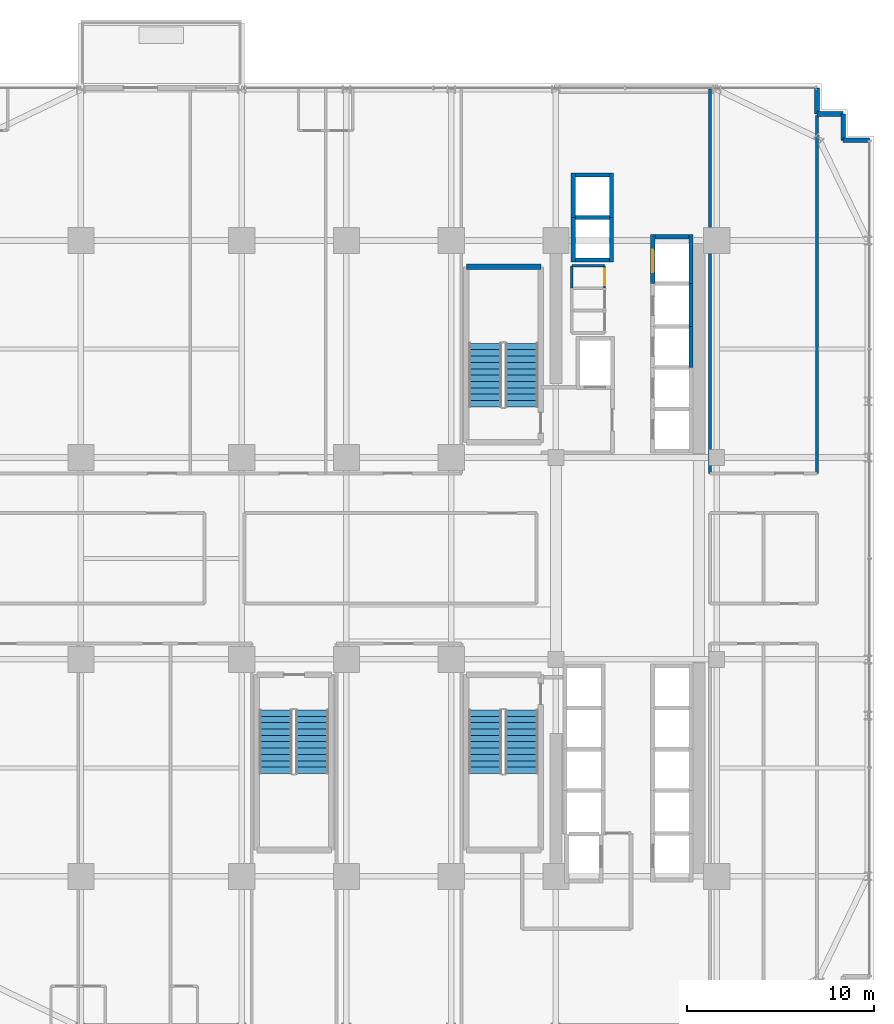
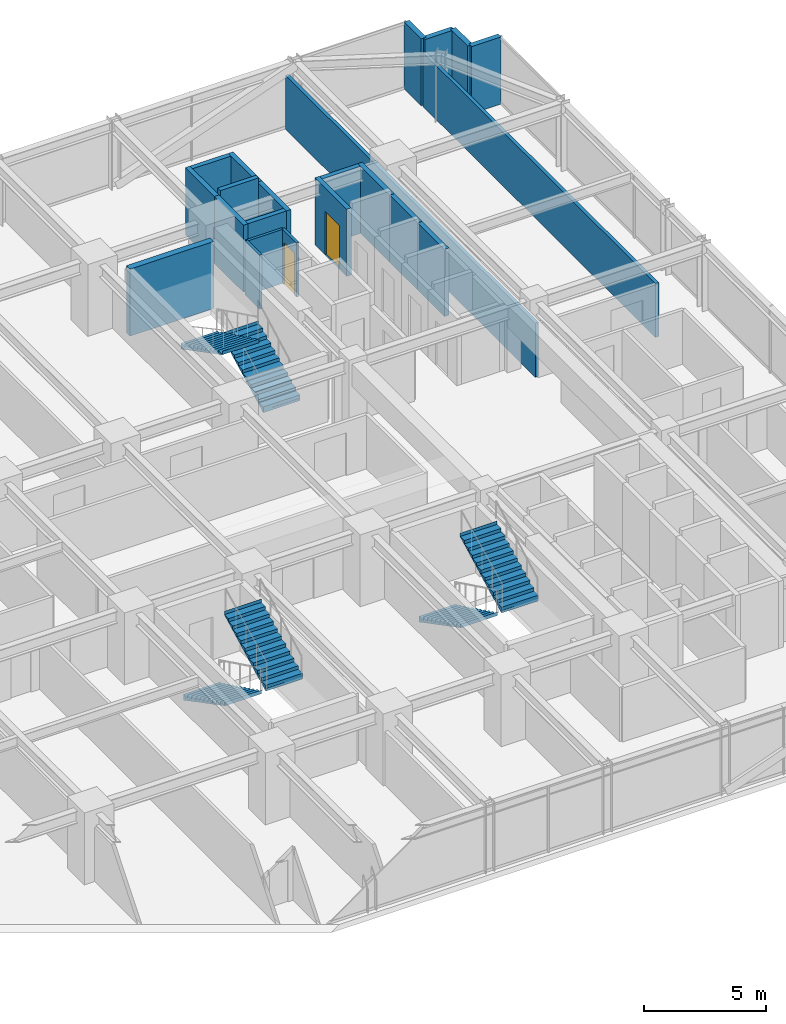
# One storey, part 32 of 36: 22 walls, 6 stair flights, 2 doors, 2 openings, 3 elements without a shape of their own.
"""IFC4 building model written with IfcOpenShell, lengths in metres."""

from ifc_helpers import new_model, si_unit, direction, frame, frame_2d, origin, place, context, subcontext, project, spatial, polyline, rectangle, outline, extrude, source, transform, mapped, material, layer, layer_set, type_object, element, fill, aggregate, save


model = new_model("IFC4")

# Units and contexts
model_context = context("Model", 3, precision=1e-05, world=origin(), true_north=direction((0.0, 1.0)))
body_context = subcontext(model_context, "Body", "Model", "MODEL_VIEW")
ifc_project = project(units=[si_unit("LENGTHUNIT", "METRE"), si_unit("AREAUNIT", "SQUARE_METRE"), si_unit("VOLUMEUNIT", "CUBIC_METRE"), si_unit("PLANEANGLEUNIT", "RADIAN"), si_unit("MASSUNIT", "GRAM", prefix="KILO")], contexts=[model_context])

# Site, building, storey
site_placement = place(None, origin())
site = spatial("IfcSite", under=ifc_project, at=site_placement, CompositionType="ELEMENT")
building_placement = place(site_placement, origin())
building = spatial("IfcBuilding", under=site, at=building_placement, Name="Nahalor Promenade Grand Hotel", CompositionType="ELEMENT")
storey_placement = place(building_placement, frame((0.0, 0.0, 76.199951171875)))
storey = spatial("IfcBuildingStorey", under=building, at=storey_placement, Name="L18", CompositionType="ELEMENT", Elevation=76.199951171875)

# Walls
ifc_material_1 = material(Name="Concrete B-50 (C40/50)", Category="concrete")
ifc_layer_1 = layer(ifc_material_1, 0.300048828125)
ifc_layer_set_1 = layer_set([ifc_layer_1], Name="Concrete B-50 (C40/50)")
wall_type_1 = type_object("IfcWallType", Name="Wall-ShaftShear-300", PredefinedType="SHEAR", material=ifc_layer_set_1)
shared_shape_1 = source(origin(), body_context, "Body", "SweptSolid", [
    extrude(rectangle(XDim=3.97998046875, YDim=0.300048828125, at=frame_2d((1.989990234375, 0.0))), origin(), (0.0, 0.0, 1.0), 3.3701171875),
])
wall_1_placement = place(storey_placement, frame((3.610107421875, 15.590087890625, 0.0), z_axis=(0.0, 0.0, 1.0), x_axis=(1.0, 0.0, 0.0)))
element("IfcWall", 1, at=wall_1_placement, inside=storey, type_object=wall_type_1, Name="L18 Exit Stair ST1 Shaft Wall N", PredefinedType="SHEAR", context=body_context, shape_type="MappedRepresentation", body=[
    mapped(shared_shape_1, transform((0.0, 0.0, 0.0), scale=1.0)),
])
ifc_layer_2 = layer(ifc_material_1, 0.219970703125)
ifc_layer_set_2 = layer_set([ifc_layer_2], Name="Concrete B-50 (C40/50)")
wall_type_2 = type_object("IfcWallType", Name="Wall-LiftShaft-220", PredefinedType="SHEAR", material=ifc_layer_set_2)
shared_shape_2 = source(origin(), body_context, "Body", "SweptSolid", [
    extrude(rectangle(XDim=1.820068359375, YDim=0.219970703125, at=frame_2d((0.91015625, 0.0))), origin(), (0.0, 0.0, 1.0), 3.3701171875),
])
for number, where, z_axis, x_axis, name in (
    (2, (9.43994140625, 15.949951171875, 0.0), (0.0, 0.0, 1.0), (1.0, 0.0, 0.0), "L18 Lift OB1 Hoistway Wall S"),
    (3, (9.43994140625, 20.5, 0.0), (0.0, 0.0, 1.0), (1.0, 0.0, 0.0), "L18 Lift OB2 Hoistway Wall N"),
    (4, (13.68994140625, 17.199951171875, 0.0), (0.0, 0.0, 1.0), (1.0, 0.0, 0.0), "L18 Lift SV1 Hoistway Wall N"),
):
    element("IfcWall", number, at=place(storey_placement, frame(where, z_axis=z_axis, x_axis=x_axis)), inside=storey, type_object=wall_type_2, Name=name, PredefinedType="SHEAR", context=body_context, shape_type="MappedRepresentation", body=[
        mapped(shared_shape_2, transform((0.0, 0.0, 0.0), scale=1.0)),
    ])
shared_shape_3 = source(origin(), body_context, "Body", "SweptSolid", [
    extrude(rectangle(XDim=1.820068359375, YDim=0.219970703125, at=frame_2d((0.91015625, 0.0))), origin(), (0.0, 0.0, 1.0), 3.650146484375),
])
wall_2_placement = place(storey_placement, frame((9.43994140625, 18.22509765625, 0.0), z_axis=(0.0, 0.0, 1.0), x_axis=(1.0, 0.0, 0.0)))
element("IfcWall", 5, at=wall_2_placement, inside=storey, type_object=wall_type_2, Name="L18 Lift OB1 Hoistway Wall N", PredefinedType="SHEAR", context=body_context, shape_type="MappedRepresentation", body=[
    mapped(shared_shape_3, transform((0.0, 0.0, 0.0), scale=1.0)),
])
shared_shape_4 = source(origin(), body_context, "Body", "SweptSolid", [
    extrude(rectangle(XDim=2.199951171875, YDim=0.219970703125, at=frame_2d((1.10009765625, 0.0))), origin(), (0.0, 0.0, 1.0), 3.3701171875),
])
wall_3_placement = place(storey_placement, frame((15.6201171875, 10.199951171875, 0.0), z_axis=(0.0, 0.0, 1.0), x_axis=(0.0, 1.0, 0.0)))
element("IfcWall", 6, at=wall_3_placement, inside=storey, type_object=wall_type_2, Name="L18 Lift PL3 Hoistway Wall E", PredefinedType="SHEAR", context=body_context, shape_type="MappedRepresentation", body=[
    mapped(shared_shape_4, transform((0.0, 0.0, 0.0), scale=1.0)),
])
shared_shape_5 = source(origin(), body_context, "Body", "SweptSolid", [
    extrude(rectangle(XDim=2.300048828125, YDim=0.219970703125, at=frame_2d((1.14990234375, 0.0))), origin(), (0.0, 0.0, 1.0), 3.3701171875),
])
wall_4_placement = place(storey_placement, frame((15.6201171875, 12.39990234375, 0.0), z_axis=(0.0, 0.0, 1.0), x_axis=(0.0, 1.0, 0.0)))
element("IfcWall", 7, at=wall_4_placement, inside=storey, type_object=wall_type_2, Name="L18 Lift PL4 Hoistway Wall E", PredefinedType="SHEAR", context=body_context, shape_type="MappedRepresentation", body=[
    mapped(shared_shape_5, transform((0.0, 0.0, 0.0), scale=1.0)),
])
shared_shape_6 = source(origin(), body_context, "Body", "SweptSolid", [
    extrude(rectangle(XDim=2.385009765625, YDim=0.219970703125, at=frame_2d((1.1923828125, 0.0))), origin(), (0.0, 0.0, 1.0), 3.3701171875),
])
for number, where, z_axis, x_axis, name in (
    (8, (9.330078125, 15.840087890625, 0.0), (0.0, 0.0, 1.0), (0.0, 1.0, 0.0), "L18 Lift OB1 Hoistway Wall W"),
    (9, (11.3701171875, 15.840087890625, 0.0), (0.0, 0.0, 1.0), (0.0, 1.0, 0.0), "L18 Lift OB1 Hoistway Wall E"),
    (10, (9.330078125, 18.22509765625, 0.0), (0.0, 0.0, 1.0), (0.0, 1.0, 0.0), "L18 Lift OB2 Hoistway Wall W"),
    (11, (11.3701171875, 18.22509765625, 0.0), (0.0, 0.0, 1.0), (0.0, 1.0, 0.0), "L18 Lift OB2 Hoistway Wall E"),
):
    element("IfcWall", number, at=place(storey_placement, frame(where, z_axis=z_axis, x_axis=x_axis)), inside=storey, type_object=wall_type_2, Name=name, PredefinedType="SHEAR", context=body_context, shape_type="MappedRepresentation", body=[
        mapped(shared_shape_6, transform((0.0, 0.0, 0.0), scale=1.0)),
    ])

# Wall, opening, door
shared_shape_7 = source(origin(), body_context, "Body", "SweptSolid", [
    extrude(rectangle(XDim=2.610107421875, YDim=0.219970703125, at=frame_2d((1.30517578125, 0.0))), origin(), (0.0, 0.0, 1.0), 3.3701171875),
])
wall_5_placement = place(storey_placement, frame((13.580078125, 14.699951171875, 0.0), z_axis=(0.0, 0.0, 1.0), x_axis=(0.0, 1.0, 0.0)))
wall_5 = element("IfcWall", 12, at=wall_5_placement, inside=storey, type_object=wall_type_2, Name="L18 Lift SV1 Hoistway Wall W", PredefinedType="SHEAR", context=body_context, shape_type="MappedRepresentation", body=[
    mapped(shared_shape_7, transform((0.0, 0.0, 0.0), scale=1.0)),
])
opening_1_placement = place(wall_5_placement, frame((0.60009765625, 0.0, 0.0)))
opening_1 = element("IfcOpeningElement", 13, at=opening_1_placement, cuts=wall_5, Name="Opening LD-03", PredefinedType="OPENING", context=body_context, shape_type="SweptSolid", body=[
    extrude(rectangle(XDim=1.199951171875, YDim=2.199951171875, at=frame_2d((0.60009765625, 1.10009765625))), frame((0.0, 0.119873046875, 0.0), z_axis=(0.0, -1.0, 0.0), x_axis=(1.0, 0.0, 0.0)), (0.0, 0.0, 1.0), 0.239990234375),
])
ifc_material_2 = material(Name="Steel S355JR", Category="steel")
door_type_1 = type_object("IfcDoorType", Name="Door-LiftService-1200", OperationType="DOUBLE_DOOR_SLIDING", PredefinedType="DOOR", material=ifc_material_2)
shared_shape_8 = source(origin(), body_context, "Body", "SweptSolid", [
    extrude(rectangle(XDim=1.199951171875, YDim=2.199951171875, at=frame_2d((0.60009765625, 1.10009765625))), frame((0.0, 0.02490234375, 0.0), z_axis=(0.0, -1.0, 0.0), x_axis=(1.0, 0.0, 0.0)), (0.0, 0.0, 1.0), 0.050048828125),
])
door_1_placement = place(opening_1_placement, origin())
door_1 = element("IfcDoor", 14, at=door_1_placement, inside=storey, type_object=door_type_1, Name="DR-LIFT-SV1-L18", OperationType="DOUBLE_DOOR_SLIDING", OverallHeight=2.199951171875, OverallWidth=1.199951171875, PredefinedType="DOOR", context=body_context, shape_type="MappedRepresentation", body=[
    mapped(shared_shape_8, transform((0.0, 0.0, 0.0), scale=1.0)),
])
fill(opening_1, door_1)

# Walls
wall_6_placement = place(storey_placement, frame((15.6201171875, 14.699951171875, 0.0), z_axis=(0.0, 0.0, 1.0), x_axis=(0.0, 1.0, 0.0)))
element("IfcWall", 15, at=wall_6_placement, inside=storey, type_object=wall_type_2, Name="L18 Lift SV1 Hoistway Wall E", PredefinedType="SHEAR", context=body_context, shape_type="MappedRepresentation", body=[
    mapped(shared_shape_7, transform((0.0, 0.0, 0.0), scale=1.0)),
])
ifc_material_3 = material(Name="Concrete B-40 (C32/40)", Category="concrete")
ifc_layer_3 = layer(ifc_material_3, 0.25)
ifc_layer_set_3 = layer_set([ifc_layer_3], Name="Concrete B-40 (C32/40)")
wall_type_3 = type_object("IfcWallType", Name="Wall-BronzePier-250", PredefinedType="STANDARD", material=ifc_layer_set_3)
shared_shape_9 = source(origin(), body_context, "Body", "SweptSolid", [
    extrude(rectangle(XDim=1.39990234375, YDim=0.25, at=frame_2d((0.699951171875, 0.0))), origin(), (0.0, 0.0, 1.0), 3.3701171875),
])
for number, where, z_axis, x_axis, name in (
    (16, (23.760009765625, 22.360107421875, 0.0), (0.0, 0.0, 1.0), (1.0, 0.0, 0.0), "W-L18-SR-05"),
    (17, (23.760009765625, 22.360107421875, 0.0), (0.0, 0.0, 1.0), (0.0, 1.0, 0.0), "W-L18-SR-06"),
    (18, (22.360107421875, 23.760009765625, 0.0), (0.0, 0.0, 1.0), (1.0, 0.0, 0.0), "W-L18-SR-07"),
    (19, (22.360107421875, 23.760009765625, 0.0), (0.0, 0.0, 1.0), (0.0, 1.0, 0.0), "W-L18-SR-08"),
):
    element("IfcWall", number, at=place(storey_placement, frame(where, z_axis=z_axis, x_axis=x_axis)), inside=storey, type_object=wall_type_3, Name=name, PredefinedType="STANDARD", context=body_context, shape_type="MappedRepresentation", body=[
        mapped(shared_shape_9, transform((0.0, 0.0, 0.0), scale=1.0)),
    ])
ifc_material_4 = material(Name="Acoustic Mineral Gypsum", Category="gypsum")
ifc_layer_4 = layer(ifc_material_4, 0.159912109375)
ifc_layer_set_4 = layer_set([ifc_layer_4], Name="Acoustic Mineral Gypsum")
wall_type_4 = type_object("IfcWallType", Name="Wall-PartCorridor-160", PredefinedType="PARTITIONING", material=ifc_layer_set_4)
shared_shape_10 = source(origin(), body_context, "Body", "SweptSolid", [
    extrude(rectangle(XDim=20.550048828125, YDim=0.159912109375, at=frame_2d((10.27490234375, 0.0))), origin(), (0.0, 0.0, 1.0), 2.7099609375),
])
wall_7_placement = place(storey_placement, frame((16.64990234375, 4.550048828125, 0.0), z_axis=(0.0, 0.0, 1.0), x_axis=(0.0, 1.0, 0.0)))
element("IfcWall", 20, at=wall_7_placement, inside=storey, type_object=wall_type_4, Name="W-L18-ENE-W", PredefinedType="PARTITIONING", context=body_context, shape_type="MappedRepresentation", body=[
    mapped(shared_shape_10, transform((0.0, 0.0, 0.0), scale=1.0)),
])
shared_shape_11 = source(origin(), body_context, "Body", "SweptSolid", [
    extrude(rectangle(XDim=19.1298828125, YDim=0.159912109375, at=frame_2d((9.56494140625, 0.0))), origin(), (0.0, 0.0, 1.0), 2.7099609375),
])
wall_8_placement = place(storey_placement, frame((22.360107421875, 4.550048828125, 0.0), z_axis=(0.0, 0.0, 1.0), x_axis=(0.0, 1.0, 0.0)))
element("IfcWall", 21, at=wall_8_placement, inside=storey, type_object=wall_type_4, Name="W-L18-ENE-E", PredefinedType="PARTITIONING", context=body_context, shape_type="MappedRepresentation", body=[
    mapped(shared_shape_11, transform((0.0, 0.0, 0.0), scale=1.0)),
])
ifc_layer_5 = layer(ifc_material_4, 0.1201171875)
ifc_layer_set_5 = layer_set([ifc_layer_5], Name="Acoustic Mineral Gypsum")
wall_type_5 = type_object("IfcWallType", Name="Wall-PartBath-120", PredefinedType="PARTITIONING", material=ifc_layer_set_5)
shared_shape_12 = source(origin(), body_context, "Body", "SweptSolid", [
    extrude(rectangle(XDim=1.75, YDim=0.1201171875, at=frame_2d((0.875, 0.0))), origin(), (0.0, 0.0, 1.0), 2.7099609375),
])
wall_9_placement = place(storey_placement, frame((9.25, 15.64990234375, 0.0), z_axis=(0.0, 0.0, 1.0), x_axis=(1.0, 0.0, 0.0)))
element("IfcWall", 22, at=wall_9_placement, inside=storey, type_object=wall_type_5, Name="W-L18-CK3C-N", PredefinedType="PARTITIONING", context=body_context, shape_type="MappedRepresentation", body=[
    mapped(shared_shape_12, transform((0.0, 0.0, 0.0), scale=1.0)),
])
shared_shape_13 = source(origin(), body_context, "Body", "SweptSolid", [
    extrude(rectangle(XDim=1.199951171875, YDim=0.1201171875, at=frame_2d((0.60009765625, 0.0))), origin(), (0.0, 0.0, 1.0), 2.7099609375),
])
wall_10_placement = place(storey_placement, frame((9.25, 14.449951171875, 0.0), z_axis=(0.0, 0.0, 1.0), x_axis=(0.0, 1.0, 0.0)))
element("IfcWall", 23, at=wall_10_placement, inside=storey, type_object=wall_type_5, Name="W-L18-CK3C-W", PredefinedType="PARTITIONING", context=body_context, shape_type="MappedRepresentation", body=[
    mapped(shared_shape_13, transform((0.0, 0.0, 0.0), scale=1.0)),
])

# Wall, opening, door
wall_11_placement = place(storey_placement, frame((11.0, 14.449951171875, 0.0), z_axis=(0.0, 0.0, 1.0), x_axis=(0.0, 1.0, 0.0)))
wall_11 = element("IfcWall", 24, at=wall_11_placement, inside=storey, type_object=wall_type_5, Name="W-L18-CK3C-E", PredefinedType="PARTITIONING", context=body_context, shape_type="MappedRepresentation", body=[
    mapped(shared_shape_13, transform((0.0, 0.0, 0.0), scale=1.0)),
])
opening_2_placement = place(wall_11_placement, frame((0.159912109375, 0.0, 0.0)))
opening_2 = element("IfcOpeningElement", 25, at=opening_2_placement, cuts=wall_11, Name="Opening D-03", PredefinedType="OPENING", context=body_context, shape_type="SweptSolid", body=[
    extrude(rectangle(XDim=0.8798828125, YDim=2.10009765625, at=frame_2d((0.43994140625, 1.050048828125))), frame((0.0, 0.070068359375, 0.0), z_axis=(0.0, -1.0, 0.0), x_axis=(1.0, 0.0, 0.0)), (0.0, 0.0, 1.0), 0.14013671875),
])
ifc_material_5 = material(Name="Fire-Rated Timber Composite", Category="wood")
door_type_2 = type_object("IfcDoorType", Name="Door-BathSwing-880", OperationType="NOTDEFINED", PredefinedType="DOOR", material=ifc_material_5)
shared_shape_14 = source(origin(), body_context, "Body", "SweptSolid", [
    extrude(rectangle(XDim=0.8798828125, YDim=2.10009765625, at=frame_2d((0.43994140625, 1.050048828125))), frame((0.0, 0.02490234375, 0.0), z_axis=(0.0, -1.0, 0.0), x_axis=(1.0, 0.0, 0.0)), (0.0, 0.0, 1.0), 0.050048828125),
])
door_2_placement = place(opening_2_placement, origin())
door_2 = element("IfcDoor", 26, at=door_2_placement, inside=storey, type_object=door_type_2, Name="DR-L18-CK3C", OperationType="SINGLE_SWING_LEFT", OverallHeight=2.10009765625, OverallWidth=0.8798828125, PredefinedType="DOOR", context=body_context, shape_type="MappedRepresentation", body=[
    mapped(shared_shape_14, transform((0.0, 0.0, 0.0), scale=1.0)),
])
fill(opening_2, door_2)

# Stair, stair flights
stair_type_1 = type_object("IfcStairType", Name="Stair-ST1", PredefinedType="HALF_TURN_STAIR", material=ifc_material_1)
stair_1_placement = place(storey_placement, origin())
stair_1 = element("IfcStair", 27, at=stair_1_placement, inside=storey, type_object=stair_type_1, Name="L18 ST1", PredefinedType="HALF_TURN_STAIR")
ifc_layer_6 = layer(ifc_material_1, 0.179931640625)
ifc_layer_set_6 = layer_set([ifc_layer_6], Name="Concrete B-50 (C40/50)")
stair_flight_type_1 = type_object("IfcStairFlightType", Name="Flight-ST1", PredefinedType="STRAIGHT", material=ifc_layer_set_6)
shared_shape_15 = source(origin(), body_context, "Body", "SweptSolid", [
    extrude(outline(polyline([(-0.00390625, -0.1201171875), (-0.00390625, 0.0), (0.0, 0.0), (0.0, 0.166015625), (0.340087890625, 0.166015625), (0.340087890625, 0.331787109375), (0.679931640625, 0.331787109375), (0.679931640625, 0.497802734375), (1.02001953125, 0.497802734375), (1.02001953125, 0.66357421875), (1.360107421875, 0.66357421875), (1.360107421875, 0.82958984375), (1.699951171875, 0.82958984375), (1.699951171875, 0.995361328125), (2.0400390625, 0.995361328125), (2.0400390625, 1.161376953125), (2.3798828125, 1.161376953125), (2.3798828125, 1.327392578125), (2.719970703125, 1.327392578125), (2.719970703125, 1.4931640625), (3.06005859375, 1.4931640625), (3.06005859375, 1.6591796875), (3.39990234375, 1.6591796875), (3.39990234375, 1.824951171875), (3.404052734375, 1.824951171875), (3.404052734375, 1.64501953125), (0.02001953125, -0.1201171875), (-0.00390625, -0.1201171875)])), frame((0.0, 0.875, 0.0), z_axis=(0.0, -1.0, 0.0), x_axis=(1.0, 0.0, 0.0)), (0.0, 0.0, 1.0), 1.75),
])
stair_flight_1_placement = place(storey_placement, frame((6.574951171875, 8.10009765625, 0.0), z_axis=(0.0, 0.0, 1.0), x_axis=(0.0, 1.0, 0.0)))
stair_flight_1 = element("IfcStairFlight", 28, at=stair_flight_1_placement, type_object=stair_flight_type_1, Name="ST1 flight 1", NumberOfRisers=11, NumberOfTreads=10, PredefinedType="STRAIGHT", RiserHeight=0.165909091, TreadLength=0.34, context=body_context, shape_type="MappedRepresentation", body=[
    mapped(shared_shape_15, transform((0.0, 0.0, 0.0), scale=1.0)),
])
stair_flight_2_placement = place(storey_placement, frame((4.625, 11.5, 1.824951171875), z_axis=(0.0, 0.0, 1.0), x_axis=(0.0, -1.0, 0.0)))
stair_flight_2 = element("IfcStairFlight", 29, at=stair_flight_2_placement, type_object=stair_flight_type_1, Name="ST1 flight 2", NumberOfRisers=11, NumberOfTreads=10, PredefinedType="STRAIGHT", RiserHeight=0.165909091, TreadLength=0.34, context=body_context, shape_type="MappedRepresentation", body=[
    mapped(shared_shape_15, transform((0.0, 0.0, 0.0), scale=1.0)),
])
aggregate(stair_1, [stair_flight_1, stair_flight_2])

stair_type_2 = type_object("IfcStairType", Name="Stair-ST2", PredefinedType="HALF_TURN_STAIR", material=ifc_material_1)
stair_2_placement = place(storey_placement, origin())
stair_2 = element("IfcStair", 30, at=stair_2_placement, inside=storey, type_object=stair_type_2, Name="L18 ST2", PredefinedType="HALF_TURN_STAIR")
ifc_layer_7 = layer(ifc_material_1, 0.18994140625)
ifc_layer_set_7 = layer_set([ifc_layer_7], Name="Concrete B-50 (C40/50)")
stair_flight_type_2 = type_object("IfcStairFlightType", Name="Flight-ST2", PredefinedType="STRAIGHT", material=ifc_layer_set_7)
shared_shape_16 = source(origin(), body_context, "Body", "SweptSolid", [
    extrude(outline(polyline([(-0.00390625, -0.1201171875), (-0.00390625, 0.0), (0.0, 0.0), (0.0, 0.166015625), (0.340087890625, 0.166015625), (0.340087890625, 0.331787109375), (0.679931640625, 0.331787109375), (0.679931640625, 0.497802734375), (1.02001953125, 0.497802734375), (1.02001953125, 0.66357421875), (1.360107421875, 0.66357421875), (1.360107421875, 0.82958984375), (1.699951171875, 0.82958984375), (1.699951171875, 0.995361328125), (2.0400390625, 0.995361328125), (2.0400390625, 1.161376953125), (2.3798828125, 1.161376953125), (2.3798828125, 1.327392578125), (2.719970703125, 1.327392578125), (2.719970703125, 1.4931640625), (3.06005859375, 1.4931640625), (3.06005859375, 1.6591796875), (3.39990234375, 1.6591796875), (3.39990234375, 1.824951171875), (3.404052734375, 1.824951171875), (3.404052734375, 1.64501953125), (0.02001953125, -0.1201171875), (-0.00390625, -0.1201171875)])), frame((0.0, 0.875, 0.0), z_axis=(0.0, -1.0, 0.0), x_axis=(1.0, 0.0, 0.0)), (0.0, 0.0, 1.0), 1.75),
])
stair_flight_3_placement = place(storey_placement, frame((4.625, -8.10009765625, 0.0), z_axis=(0.0, 0.0, 1.0), x_axis=(0.0, -1.0, 0.0)))
stair_flight_3 = element("IfcStairFlight", 31, at=stair_flight_3_placement, type_object=stair_flight_type_2, Name="ST2 flight 1", NumberOfRisers=11, NumberOfTreads=10, PredefinedType="STRAIGHT", RiserHeight=0.165909091, TreadLength=0.34, context=body_context, shape_type="MappedRepresentation", body=[
    mapped(shared_shape_16, transform((0.0, 0.0, 0.0), scale=1.0)),
])
stair_flight_4_placement = place(storey_placement, frame((6.574951171875, -11.5, 1.824951171875), z_axis=(0.0, 0.0, 1.0), x_axis=(0.0, 1.0, 0.0)))
stair_flight_4 = element("IfcStairFlight", 32, at=stair_flight_4_placement, type_object=stair_flight_type_2, Name="ST2 flight 2", NumberOfRisers=11, NumberOfTreads=10, PredefinedType="STRAIGHT", RiserHeight=0.165909091, TreadLength=0.34, context=body_context, shape_type="MappedRepresentation", body=[
    mapped(shared_shape_16, transform((0.0, 0.0, 0.0), scale=1.0)),
])
aggregate(stair_2, [stair_flight_3, stair_flight_4])

stair_type_3 = type_object("IfcStairType", Name="Stair-ST3", PredefinedType="HALF_TURN_STAIR", material=ifc_material_1)
stair_3_placement = place(storey_placement, origin())
stair_3 = element("IfcStair", 33, at=stair_3_placement, inside=storey, type_object=stair_type_3, Name="L18 ST3", PredefinedType="HALF_TURN_STAIR")
ifc_layer_8 = layer(ifc_material_1, 0.199951171875)
ifc_layer_set_8 = layer_set([ifc_layer_8], Name="Concrete B-50 (C40/50)")
stair_flight_type_3 = type_object("IfcStairFlightType", Name="Flight-ST3", PredefinedType="STRAIGHT", material=ifc_layer_set_8)
shared_shape_17 = source(origin(), body_context, "Body", "SweptSolid", [
    extrude(outline(polyline([(-0.00390625, -0.1201171875), (-0.00390625, 0.0), (0.0, 0.0), (0.0, 0.166015625), (0.340087890625, 0.166015625), (0.340087890625, 0.331787109375), (0.679931640625, 0.331787109375), (0.679931640625, 0.497802734375), (1.02001953125, 0.497802734375), (1.02001953125, 0.66357421875), (1.360107421875, 0.66357421875), (1.360107421875, 0.82958984375), (1.699951171875, 0.82958984375), (1.699951171875, 0.995361328125), (2.0400390625, 0.995361328125), (2.0400390625, 1.161376953125), (2.3798828125, 1.161376953125), (2.3798828125, 1.327392578125), (2.719970703125, 1.327392578125), (2.719970703125, 1.4931640625), (3.06005859375, 1.4931640625), (3.06005859375, 1.6591796875), (3.39990234375, 1.6591796875), (3.39990234375, 1.824951171875), (3.404052734375, 1.824951171875), (3.404052734375, 1.64501953125), (0.02001953125, -0.1201171875), (-0.00390625, -0.1201171875)])), frame((0.0, 0.875, 0.0), z_axis=(0.0, -1.0, 0.0), x_axis=(1.0, 0.0, 0.0)), (0.0, 0.0, 1.0), 1.75),
])
stair_flight_5_placement = place(storey_placement, frame((-6.574951171875, -8.10009765625, 0.0), z_axis=(0.0, 0.0, 1.0), x_axis=(0.0, -1.0, 0.0)))
stair_flight_5 = element("IfcStairFlight", 34, at=stair_flight_5_placement, type_object=stair_flight_type_3, Name="ST3 flight 1", NumberOfRisers=11, NumberOfTreads=10, PredefinedType="STRAIGHT", RiserHeight=0.165909091, TreadLength=0.34, context=body_context, shape_type="MappedRepresentation", body=[
    mapped(shared_shape_17, transform((0.0, 0.0, 0.0), scale=1.0)),
])
stair_flight_6_placement = place(storey_placement, frame((-4.625, -11.5, 1.824951171875), z_axis=(0.0, 0.0, 1.0), x_axis=(0.0, 1.0, 0.0)))
stair_flight_6 = element("IfcStairFlight", 35, at=stair_flight_6_placement, type_object=stair_flight_type_3, Name="ST3 flight 2", NumberOfRisers=11, NumberOfTreads=10, PredefinedType="STRAIGHT", RiserHeight=0.165909091, TreadLength=0.34, context=body_context, shape_type="MappedRepresentation", body=[
    mapped(shared_shape_17, transform((0.0, 0.0, 0.0), scale=1.0)),
])
aggregate(stair_3, [stair_flight_5, stair_flight_6])

save(model, "model.ifc")
